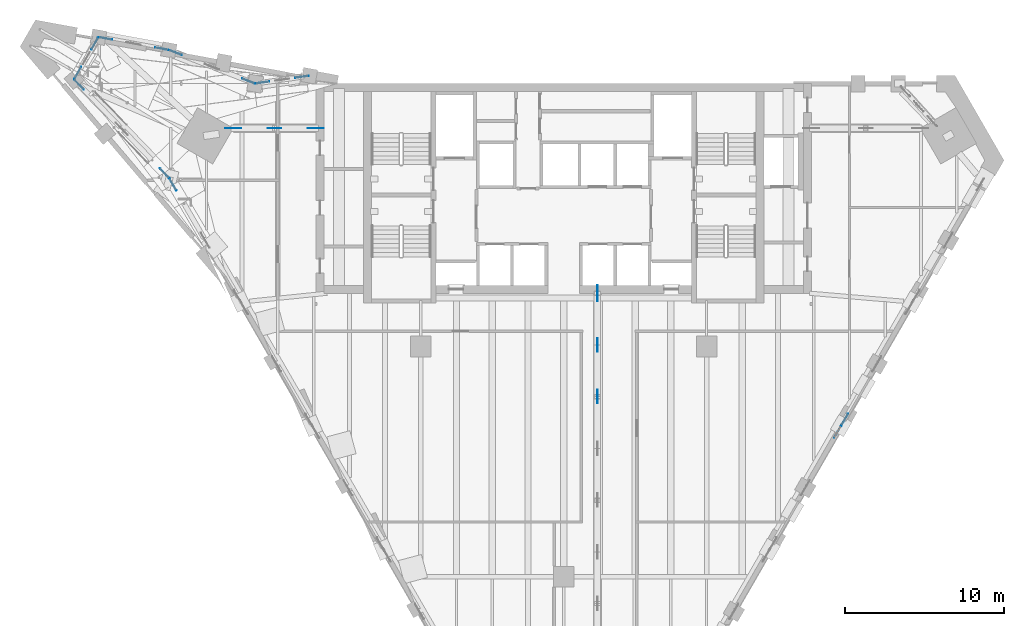
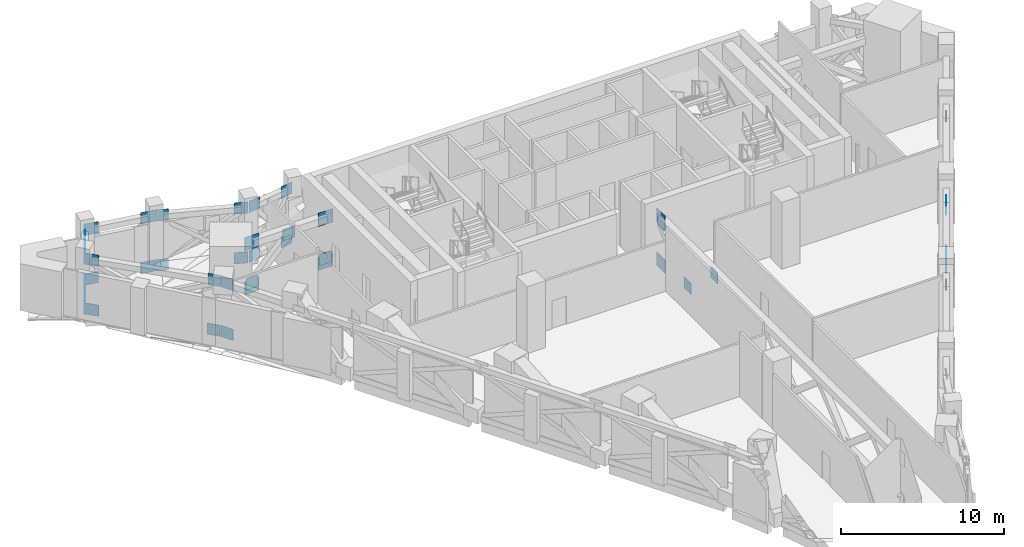
# One storey, part 15 of 22: 37 discrete accessories.
"""IFC4 building model written with IfcOpenShell, lengths in metres."""

from ifc_helpers import new_model, si_unit, direction, frame, origin, origin_2d, place, context, subcontext, project, spatial, rectangle, extrude, material, type_object, element, save


model = new_model("IFC4")

# Units and contexts
model_context = context("Model", 3, precision=1e-05, world=origin(), true_north=direction((0.0, 1.0)))
body_context = subcontext(model_context, "Body", "Model", "MODEL_VIEW")
ifc_project = project(units=[si_unit("LENGTHUNIT", "METRE"), si_unit("AREAUNIT", "SQUARE_METRE"), si_unit("VOLUMEUNIT", "CUBIC_METRE"), si_unit("PLANEANGLEUNIT", "RADIAN"), si_unit("MASSUNIT", "GRAM", prefix="KILO")], contexts=[model_context])

# Site, building, storey
site_placement = place(None, origin())
site = spatial("IfcSite", under=ifc_project, at=site_placement, CompositionType="ELEMENT")
building_placement = place(site_placement, origin())
building = spatial("IfcBuilding", under=site, at=building_placement, Name="Calabash Gate Tower", CompositionType="ELEMENT")
storey_placement = place(building_placement, frame((0.0, 0.0, 191.39990234375)))
storey = spatial("IfcBuildingStorey", under=building, at=storey_placement, Name="L45", CompositionType="ELEMENT", Elevation=191.39990234375)

# Discrete accessories
ifc_material = material(Name="Steel ASTM A572 Gr50", Category="steel")
discrete_accessory_type = type_object("IfcDiscreteAccessoryType", Name="Connection plate 25", PredefinedType="BRACKET", material=ifc_material)
for number, where, z_axis, x_axis, name in (
    (1, (17.24658203125, -2.883544921875, -0.2216796875), (0.0, 0.0, 1.0), (0.499999984885, 0.866025412511, 0.0), "Connection plate Belt chord L45 46 end"),
    (2, (17.698974609375, -2.10009765625, 3.501953125), (0.0, 0.0, 1.0), (0.499995918946, 0.866027759969, 0.0), "Connection plate Belt chord L45 47 end"),
    (3, (17.69677734375, -2.10400390625, -0.2216796875), (0.0, 0.0, 1.0), (0.49999993954, 0.866025438691, 0.0), "Connection plate Belt chord L45 51 start"),
    (4, (-16.4833984375, 19.482177734375, -0.2216796875), (0.0, 0.0, 1.0), (-0.989526280364, -0.144352833256, 0.0), "Connection plate Belt chord L45 66 start"),
    (5, (-18.958251953125, 19.12109375, -0.2216796875), (0.0, 0.0, 1.0), (-0.989526280364, -0.144352833256, 0.0), "Connection plate Belt chord L45 66 end"),
    (6, (-16.4833984375, 19.482177734375, 3.501953125), (0.0, 0.0, 1.0), (-0.989526280364, -0.144352833256, 0.0), "Connection plate Belt chord L45 67 start"),
    (7, (-18.958251953125, 19.12109375, 3.501953125), (0.0, 0.0, 1.0), (-0.989526280364, -0.144352833256, 0.0), "Connection plate Belt chord L45 67 end"),
    (8, (-19.855224609375, 19.21875, -0.2216796875), (0.0, 0.0, 1.0), (-0.931826716754, 0.362903527047, 0.0), "Connection plate Belt chord L45 71 start"),
    (9, (-24.439453125, 21.004150390625, -0.2216796875), (0.0, 0.0, 1.0), (-0.931826716754, 0.362903527047, 0.0), "Connection plate Belt chord L45 71 end"),
    (10, (-19.855224609375, 19.21875, 3.501953125), (0.0, 0.0, 1.0), (-0.931826716754, 0.362903527047, 0.0), "Connection plate Belt chord L45 72 start"),
    (11, (-24.439453125, 21.004150390625, 3.501953125), (0.0, 0.0, 1.0), (-0.931826716754, 0.362903527047, 0.0), "Connection plate Belt chord L45 72 end"),
    (12, (-25.30908203125, 21.25146484375, -0.2216796875), (0.0, 0.0, 1.0), (-0.983669974051, 0.179981616143, 0.0), "Connection plate Belt chord L45 76 start"),
    (13, (-28.850341796875, 21.8994140625, -0.2216796875), (0.0, 0.0, 1.0), (-0.983669974051, 0.179981616143, 0.0), "Connection plate Belt chord L45 76 end"),
    (14, (-25.30908203125, 21.25146484375, 3.501953125), (0.0, 0.0, 1.0), (-0.983669974051, 0.179981616143, 0.0), "Connection plate Belt chord L45 77 start"),
    (15, (-28.850341796875, 21.8994140625, 3.501953125), (0.0, 0.0, 1.0), (-0.983669974051, 0.179981616143, 0.0), "Connection plate Belt chord L45 77 end"),
    (16, (-29.531982421875, 21.566650390625, -0.2216796875), (0.0, 0.0, 1.0), (-0.500000166265, -0.866025307791, 0.0), "Connection plate Belt chord L45 81 start"),
    (17, (-30.588623046875, 19.736328125, -0.2216796875), (0.0, 0.0, 1.0), (-0.500000166265, -0.866025307791, 0.0), "Connection plate Belt chord L45 81 end"),
    (18, (-29.531982421875, 21.566650390625, 3.501953125), (0.0, 0.0, 1.0), (-0.500000166265, -0.866025307791, 0.0), "Connection plate Belt chord L45 82 start"),
    (19, (-30.588623046875, 19.736328125, 3.501953125), (0.0, 0.0, 1.0), (-0.500000166265, -0.866025307791, 0.0), "Connection plate Belt chord L45 82 end"),
    (20, (-30.514892578125, 18.997802734375, -0.2216796875), (0.0, 0.0, 1.0), (0.693789722154, -0.720177631861, 0.0), "Connection plate Belt chord L45 86 start"),
    (21, (-25.140869140625, 13.41943359375, -0.2216796875), (0.0, 0.0, 1.0), (0.693789722154, -0.720177631861, 0.0), "Connection plate Belt chord L45 86 end"),
    (22, (-30.514892578125, 18.997802734375, 3.501953125), (0.0, 0.0, 1.0), (0.693808098495, -0.720159928393, 0.0), "Connection plate Belt chord L45 87 start"),
    (23, (-25.092041015625, 13.368896484375, 3.501953125), (0.0, 0.0, 1.0), (0.693808098495, -0.720159928393, 0.0), "Connection plate Belt chord L45 87 end"),
    (24, (-24.599365234375, 12.698486328125, -0.2216796875), (0.0, 0.0, 1.0), (0.49999996977, -0.866025421238, 0.0), "Connection plate Belt chord L45 91 start"),
    (25, (-24.599365234375, 12.698486328125, 3.501953125), (0.0, 0.0, 1.0), (0.500022279337, -0.866012540421, 0.0), "Connection plate Belt chord L45 92 start"),
):
    element("IfcDiscreteAccessory", number, at=place(storey_placement, frame(where, z_axis=z_axis, x_axis=x_axis)), inside=storey, type_object=discrete_accessory_type, Name=name, PredefinedType="BRACKET", context=body_context, shape_type="SweptSolid", body=[
        extrude(rectangle(XDim=0.850341796875, YDim=0.02490234375, at=origin_2d()), origin(), (0.0, 0.0, 1.0), 0.850341796875),
    ])
for number, where, z_axis, x_axis, name in (
    (26, (-20.802490234375, 16.24365234375, -0.252197265625), (0.0, 0.0, 1.0), (1.0, 0.0, 0.0), "Connection plate Outrigger chord L45 NW start"),
    (27, (-15.60009765625, 16.24365234375, -0.252197265625), (0.0, 0.0, 1.0), (1.0, 0.0, 0.0), "Connection plate Outrigger chord L45 NW end"),
    (28, (-20.802490234375, 16.24365234375, 3.019775390625), (0.0, 0.0, 1.0), (1.0, 0.0, 0.0), "Connection plate Outrigger chord L45 NW start"),
    (29, (-15.60009765625, 16.24365234375, 3.019775390625), (0.0, 0.0, 1.0), (1.0, 0.0, 0.0), "Connection plate Outrigger chord L45 NW end"),
):
    element("IfcDiscreteAccessory", number, at=place(storey_placement, frame(where, z_axis=z_axis, x_axis=x_axis)), inside=storey, type_object=discrete_accessory_type, Name=name, PredefinedType="BRACKET", context=body_context, shape_type="SweptSolid", body=[
        extrude(rectangle(XDim=1.0126953125, YDim=0.02490234375, at=origin_2d()), origin(), (0.0, 0.0, 1.0), 1.0126953125),
    ])
for number, where, z_axis, x_axis, name in (
    (30, (-20.802490234375, 16.24365234375, 0.0830078125), (0.0, 0.0, 1.0), (1.0, 0.0, 0.0), "Connection plate Outrigger diagonal L45 NW start"),
    (31, (-18.201171875, 16.24365234375, 2.84716796875), (0.0, 0.0, 1.0), (1.0, 0.0, 0.0), "Connection plate Outrigger diagonal L45 NW end"),
    (32, (-15.60009765625, 16.24365234375, 0.0830078125), (0.0, 0.0, 1.0), (1.0, 0.0, 0.0), "Connection plate Outrigger diagonal L45 NW end"),
):
    element("IfcDiscreteAccessory", number, at=place(storey_placement, frame(where, z_axis=z_axis, x_axis=x_axis)), inside=storey, type_object=discrete_accessory_type, Name=name, PredefinedType="BRACKET", context=body_context, shape_type="SweptSolid", body=[
        extrude(rectangle(XDim=0.850341796875, YDim=0.02490234375, at=origin_2d()), origin(), (0.0, 0.0, 1.0), 0.850341796875),
    ])
for number, where, z_axis, x_axis, name in (
    (33, (2.121826171875, 5.8525390625, -0.252197265625), (0.0, 0.0, 1.0), (0.0, 1.0, 0.0), "Connection plate Outrigger chord L45 S end"),
    (34, (2.121826171875, 5.8525390625, 3.019775390625), (0.0, 0.0, 1.0), (0.0, 1.0, 0.0), "Connection plate Outrigger chord L45 S end"),
):
    element("IfcDiscreteAccessory", number, at=place(storey_placement, frame(where, z_axis=z_axis, x_axis=x_axis)), inside=storey, type_object=discrete_accessory_type, Name=name, PredefinedType="BRACKET", context=body_context, shape_type="SweptSolid", body=[
        extrude(rectangle(XDim=1.0126953125, YDim=0.02490234375, at=origin_2d()), origin(), (0.0, 0.0, 1.0), 1.0126953125),
    ])
for number, where, z_axis, x_axis, name in (
    (35, (2.121826171875, -0.661865234375, 2.84716796875), (0.0, 0.0, 1.0), (0.0, 1.0, 0.0), "Connection plate Outrigger diagonal L45 S end"),
    (36, (2.121826171875, 2.595458984375, 0.0830078125), (0.0, 0.0, 1.0), (0.0, 1.0, 0.0), "Connection plate Outrigger diagonal L45 S end"),
    (37, (2.121826171875, 5.8525390625, 2.84716796875), (0.0, 0.0, 1.0), (0.0, 1.0, 0.0), "Connection plate Outrigger diagonal L45 S end"),
):
    element("IfcDiscreteAccessory", number, at=place(storey_placement, frame(where, z_axis=z_axis, x_axis=x_axis)), inside=storey, type_object=discrete_accessory_type, Name=name, PredefinedType="BRACKET", context=body_context, shape_type="SweptSolid", body=[
        extrude(rectangle(XDim=0.850341796875, YDim=0.02490234375, at=origin_2d()), origin(), (0.0, 0.0, 1.0), 0.850341796875),
    ])

save(model, "model.ifc")
